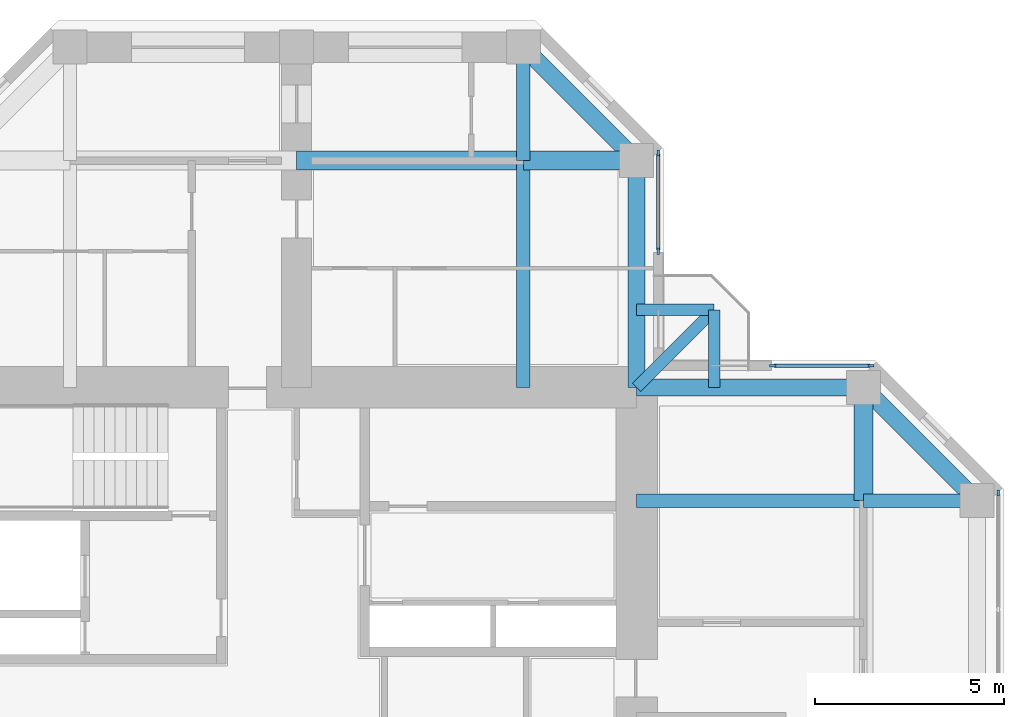
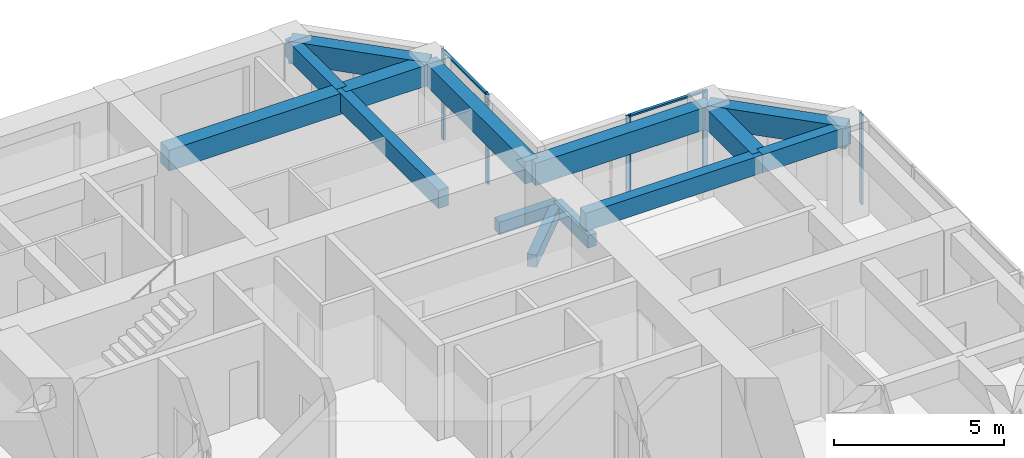
# One storey, part 6 of 14: 14 beams, 7 members, 3 elements without a shape of their own.
"""IFC4 building model written with IfcOpenShell, lengths in metres."""

from ifc_helpers import new_model, si_unit, direction, frame, origin, origin_2d, place, context, subcontext, project, spatial, rectangle, extrude, material, material_profile, profile_set, type_object, element, aggregate, save


model = new_model("IFC4")

# Units and contexts
model_context = context("Model", 3, precision=1e-05, world=origin(), true_north=direction((0.0, 1.0)))
body_context = subcontext(model_context, "Body", "Model", "MODEL_VIEW")
ifc_project = project(units=[si_unit("LENGTHUNIT", "METRE"), si_unit("AREAUNIT", "SQUARE_METRE"), si_unit("VOLUMEUNIT", "CUBIC_METRE"), si_unit("PLANEANGLEUNIT", "RADIAN"), si_unit("MASSUNIT", "GRAM", prefix="KILO")], contexts=[model_context])

# Site, building, storey
site_placement = place(None, origin())
site = spatial("IfcSite", under=ifc_project, at=site_placement, CompositionType="ELEMENT")
building_placement = place(site_placement, origin())
building = spatial("IfcBuilding", under=site, at=building_placement, Name="Torre Cruceta", CompositionType="ELEMENT")
storey_placement = place(building_placement, frame((0.0, 0.0, 210.300048828125)))
storey = spatial("IfcBuildingStorey", under=building, at=storey_placement, Name="L53", CompositionType="ELEMENT", Elevation=210.300048828125)

# Beams
ifc_material_1 = material(Name="Concrete G60 (fck 60 MPa)", Category="concrete")
ifc_material_profile_1 = material_profile(ifc_material_1, rectangle(XDim=0.300048828125, YDim=0.449951171875, at=origin_2d()), Name="RC 300X450")
ifc_profile_set_1 = profile_set([ifc_material_profile_1], Name="Concrete G60 (fck 60 MPa)")
beam_type_1 = type_object("IfcBeamType", Name="BALCONY CANTILEVER BEAM RC 300X450", PredefinedType="BEAM", material=ifc_profile_set_1)
beam_1_placement = place(storey_placement, frame((9.0, 9.0, -0.405029296875), z_axis=(0.707106781187, 0.707106781187, 0.0), x_axis=(-0.707106781187, 0.707106781187, 0.0)))
element("IfcBeam", 1, at=beam_1_placement, inside=storey, type_object=beam_type_1, Name="BB1 balcony beam L53 E", PredefinedType="BEAM", context=body_context, shape_type="SweptSolid", body=[
    extrude(rectangle(XDim=0.300048828125, YDim=0.449951171875, at=origin_2d()), origin(), (0.0, 0.0, 1.0), 2.89990234375),
])
for number, where, z_axis, x_axis, name in (
    (2, (11.050537109375, 9.0, -0.405029296875), (0.0, 1.0, 0.0), (-1.0, 0.0, 0.0), "BB1 balcony edge beam L53 E-X"),
    (3, (9.0, 11.050537109375, -0.405029296875), (1.0, 0.0, 0.0), (0.0, 1.0, 0.0), "BB1 balcony edge beam L53 E-Y"),
):
    element("IfcBeam", number, at=place(storey_placement, frame(where, z_axis=z_axis, x_axis=x_axis)), inside=storey, type_object=beam_type_1, Name=name, PredefinedType="BEAM", context=body_context, shape_type="SweptSolid", body=[
        extrude(rectangle(XDim=0.300048828125, YDim=0.449951171875, at=origin_2d()), origin(), (0.0, 0.0, 1.0), 2.050537109375),
    ])
ifc_material_2 = material(Name="Concrete G60 (fck 60 MPa)", Category="concrete")
ifc_material_profile_2 = material_profile(ifc_material_2, rectangle(XDim=0.35009765625, YDim=0.64990234375, at=origin_2d()), Name="RC 350X650")
ifc_profile_set_2 = profile_set([ifc_material_profile_2], Name="Concrete G60 (fck 60 MPa)")
beam_type_2 = type_object("IfcBeamType", Name="COLUMN LINE BEAM RC 350X650", PredefinedType="BEAM", material=ifc_profile_set_2)
beam_2_placement = place(storey_placement, frame((6.0, 9.0, 2.89501953125), z_axis=(0.0, 1.0, 0.0), x_axis=(-1.0, 0.0, 0.0)))
element("IfcBeam", 4, at=beam_2_placement, inside=storey, type_object=beam_type_2, Name="LB7 L53 N col- 1", PredefinedType="BEAM", context=body_context, shape_type="SweptSolid", body=[
    extrude(rectangle(XDim=0.35009765625, YDim=0.64990234375, at=origin_2d()), origin(), (0.0, 0.0, 1.0), 6.0),
])
beam_3_placement = place(storey_placement, frame((6.0, 15.0, 2.89501953125), z_axis=(0.0, 1.0, 0.0), x_axis=(-1.0, 0.0, 0.0)))
element("IfcBeam", 5, at=beam_3_placement, inside=storey, type_object=beam_type_2, Name="LB7 L53 N col- 2", PredefinedType="BEAM", context=body_context, shape_type="SweptSolid", body=[
    extrude(rectangle(XDim=0.35009765625, YDim=0.64990234375, at=origin_2d()), origin(), (0.0, 0.0, 1.0), 3.0),
])
beam_4_placement = place(storey_placement, frame((9.0, 6.0, 2.89501953125), z_axis=(1.0, 0.0, 0.0), x_axis=(0.0, 1.0, 0.0)))
element("IfcBeam", 6, at=beam_4_placement, inside=storey, type_object=beam_type_2, Name="LB7 L53 E col+ 1", PredefinedType="BEAM", context=body_context, shape_type="SweptSolid", body=[
    extrude(rectangle(XDim=0.35009765625, YDim=0.64990234375, at=origin_2d()), origin(), (0.0, 0.0, 1.0), 6.0),
])
beam_5_placement = place(storey_placement, frame((15.0, 6.0, 2.89501953125), z_axis=(1.0, 0.0, 0.0), x_axis=(0.0, 1.0, 0.0)))
element("IfcBeam", 7, at=beam_5_placement, inside=storey, type_object=beam_type_2, Name="LB7 L53 E col+ 2", PredefinedType="BEAM", context=body_context, shape_type="SweptSolid", body=[
    extrude(rectangle(XDim=0.35009765625, YDim=0.64990234375, at=origin_2d()), origin(), (0.0, 0.0, 1.0), 3.0),
])
ifc_material_3 = material(Name="Concrete G60 (fck 60 MPa)", Category="concrete")
ifc_material_profile_3 = material_profile(ifc_material_3, rectangle(XDim=0.5, YDim=0.75, at=origin_2d()), Name="RC 500X750")
ifc_profile_set_3 = profile_set([ifc_material_profile_3], Name="Concrete G60 (fck 60 MPa)")
beam_type_3 = type_object("IfcBeamType", Name="CROSS BEAM RC 500X750", PredefinedType="BEAM", material=ifc_profile_set_3)
beam_6_placement = place(storey_placement, frame((9.0, 15.0, 2.844970703125), z_axis=(-1.0, 0.0, 0.0), x_axis=(0.0, -1.0, 0.0)))
element("IfcBeam", 8, at=beam_6_placement, inside=storey, type_object=beam_type_3, Name="GB6 L53 N cross15 1", PredefinedType="BEAM", context=body_context, shape_type="SweptSolid", body=[
    extrude(rectangle(XDim=0.5, YDim=0.75, at=origin_2d()), origin(), (0.0, 0.0, 1.0), 3.0),
])
beam_7_placement = place(storey_placement, frame((6.0, 15.0, 2.844970703125), z_axis=(-1.0, 0.0, 0.0), x_axis=(0.0, -1.0, 0.0)))
element("IfcBeam", 9, at=beam_7_placement, inside=storey, type_object=beam_type_3, Name="GB6 L53 N cross15 2", PredefinedType="BEAM", context=body_context, shape_type="SweptSolid", body=[
    extrude(rectangle(XDim=0.5, YDim=0.75, at=origin_2d()), origin(), (0.0, 0.0, 1.0), 6.0),
])
beam_8_placement = place(storey_placement, frame((15.0, 6.0, 2.844970703125), z_axis=(0.0, 1.0, 0.0), x_axis=(-1.0, 0.0, 0.0)))
element("IfcBeam", 10, at=beam_8_placement, inside=storey, type_object=beam_type_3, Name="GB6 L53 E cross15 4", PredefinedType="BEAM", context=body_context, shape_type="SweptSolid", body=[
    extrude(rectangle(XDim=0.5, YDim=0.75, at=origin_2d()), origin(), (0.0, 0.0, 1.0), 3.0),
])

# Curtain wall, member
ifc_material_4 = material(Name="Aluminium unitised curtain wall", Category="aluminium")
curtain_wall_type = type_object("IfcCurtainWallType", Name="CURTAIN WALL CW-C CO-LIVING", PredefinedType="USERDEFINED", material=ifc_material_4)
curtain_wall_1_placement = place(storey_placement, origin())
curtain_wall_1 = element("IfcCurtainWall", 11, at=curtain_wall_1_placement, inside=storey, type_object=curtain_wall_type, Name="CW-C L53 E tip 02", ObjectType="UNITISED", PredefinedType="USERDEFINED")
ifc_material_5 = material(Name="Aluminium mullion", Category="aluminium")
ifc_material_profile_4 = material_profile(ifc_material_5, rectangle(XDim=0.06005859375, YDim=0.159912109375, at=origin_2d()), Name="AL 60X160")
ifc_profile_set_4 = profile_set([ifc_material_profile_4], Name="Aluminium mullion")
member_type_1 = type_object("IfcMemberType", Name="CW-C MULLION 60X160", PredefinedType="MULLION", material=ifc_profile_set_4)
member_1_placement = place(storey_placement, frame((18.570068359375, 6.2060546875, 0.0), z_axis=(0.0, 0.0, 1.0), x_axis=(-1.0, 0.0, 0.0)))
member_1 = element("IfcMember", 12, at=member_1_placement, type_object=member_type_1, Name="CW-C mullion 5", PredefinedType="MULLION", context=body_context, shape_type="SweptSolid", body=[
    extrude(rectangle(XDim=0.06005859375, YDim=0.159912109375, at=origin_2d()), origin(), (0.0, 0.0, 1.0), 3.219970703125),
])
aggregate(curtain_wall_1, [member_1])

# Curtain wall, members
curtain_wall_2_placement = place(storey_placement, origin())
curtain_wall_2 = element("IfcCurtainWall", 13, at=curtain_wall_2_placement, inside=storey, type_object=curtain_wall_type, Name="CW-C L53 E side 04", ObjectType="UNITISED", PredefinedType="USERDEFINED")
member_2_placement = place(storey_placement, frame((15.2060546875, 9.570068359375, 0.0), z_axis=(0.0, 0.0, 1.0), x_axis=(0.0, -1.0, 0.0)))
member_2 = element("IfcMember", 14, at=member_2_placement, type_object=member_type_1, Name="CW-C mullion 1", PredefinedType="MULLION", context=body_context, shape_type="SweptSolid", body=[
    extrude(rectangle(XDim=0.06005859375, YDim=0.159912109375, at=origin_2d()), origin(), (0.0, 0.0, 1.0), 3.219970703125),
])
member_3_placement = place(storey_placement, frame((12.60009765625, 9.570068359375, 0.0), z_axis=(0.0, 0.0, 1.0), x_axis=(0.0, -1.0, 0.0)))
member_3 = element("IfcMember", 15, at=member_3_placement, type_object=member_type_1, Name="CW-C mullion 2", PredefinedType="MULLION", context=body_context, shape_type="SweptSolid", body=[
    extrude(rectangle(XDim=0.06005859375, YDim=0.159912109375, at=origin_2d()), origin(), (0.0, 0.0, 1.0), 3.219970703125),
])

curtain_wall_3_placement = place(storey_placement, origin())
curtain_wall_3 = element("IfcCurtainWall", 16, at=curtain_wall_3_placement, inside=storey, type_object=curtain_wall_type, Name="CW-C L53 N side 05", ObjectType="UNITISED", PredefinedType="USERDEFINED")
member_4_placement = place(storey_placement, frame((9.570068359375, 12.60009765625, 0.0), z_axis=(0.0, 0.0, 1.0), x_axis=(-1.0, 0.0, 0.0)))
member_4 = element("IfcMember", 17, at=member_4_placement, type_object=member_type_1, Name="CW-C mullion 1", PredefinedType="MULLION", context=body_context, shape_type="SweptSolid", body=[
    extrude(rectangle(XDim=0.06005859375, YDim=0.159912109375, at=origin_2d()), origin(), (0.0, 0.0, 1.0), 3.219970703125),
])
member_5_placement = place(storey_placement, frame((9.570068359375, 15.2060546875, 0.0), z_axis=(0.0, 0.0, 1.0), x_axis=(-1.0, 0.0, 0.0)))
member_5 = element("IfcMember", 18, at=member_5_placement, type_object=member_type_1, Name="CW-C mullion 2", PredefinedType="MULLION", context=body_context, shape_type="SweptSolid", body=[
    extrude(rectangle(XDim=0.06005859375, YDim=0.159912109375, at=origin_2d()), origin(), (0.0, 0.0, 1.0), 3.219970703125),
])

# Member
ifc_material_6 = material(Name="Aluminium transom", Category="aluminium")
ifc_material_profile_5 = material_profile(ifc_material_6, rectangle(XDim=0.10009765625, YDim=0.06005859375, at=origin_2d()), Name="AL 100X60")
ifc_profile_set_5 = profile_set([ifc_material_profile_5], Name="Aluminium transom")
member_type_2 = type_object("IfcMemberType", Name="CW-C TRANSOM 60X100", PredefinedType="USERDEFINED", material=ifc_profile_set_5)
member_6_placement = place(storey_placement, frame((15.176025390625, 9.570068359375, 3.18994140625), z_axis=(-1.0, 0.0, 0.0), x_axis=(0.0, -1.0, 0.0)))
member_6 = element("IfcMember", 19, at=member_6_placement, type_object=member_type_2, Name="CW-C transom 1", ObjectType="TRANSOM", PredefinedType="USERDEFINED", context=body_context, shape_type="SweptSolid", body=[
    extrude(rectangle(XDim=0.10009765625, YDim=0.06005859375, at=origin_2d()), origin(), (0.0, 0.0, 1.0), 2.546142578125),
])

aggregate(curtain_wall_2, [member_2, member_3, member_6])

member_7_placement = place(storey_placement, frame((9.570068359375, 12.6298828125, 3.18994140625), z_axis=(0.0, 1.0, 0.0), x_axis=(-1.0, 0.0, 0.0)))
member_7 = element("IfcMember", 20, at=member_7_placement, type_object=member_type_2, Name="CW-C transom 1", ObjectType="TRANSOM", PredefinedType="USERDEFINED", context=body_context, shape_type="SweptSolid", body=[
    extrude(rectangle(XDim=0.10009765625, YDim=0.06005859375, at=origin_2d()), origin(), (0.0, 0.0, 1.0), 2.546142578125),
])

aggregate(curtain_wall_3, [member_4, member_5, member_7])

# Beams
ifc_material_7 = material(Name="Concrete G60 (fck 60 MPa)", Category="concrete")
ifc_material_profile_6 = material_profile(ifc_material_7, rectangle(XDim=0.449951171875, YDim=0.800048828125, at=origin_2d()), Name="RC 450X800")
ifc_profile_set_6 = profile_set([ifc_material_profile_6], Name="Concrete G60 (fck 60 MPa)")
beam_type_4 = type_object("IfcBeamType", Name="SPANDREL BEAM RC 450X800", PredefinedType="SPANDREL", material=ifc_profile_set_6)
beam_9_placement = place(storey_placement, frame((9.0, 9.0, 2.820068359375), z_axis=(0.0, 1.0, 0.0), x_axis=(-1.0, 0.0, 0.0)))
element("IfcBeam", 21, at=beam_9_placement, inside=storey, type_object=beam_type_4, Name="SB6 L53 N side- 1", PredefinedType="SPANDREL", context=body_context, shape_type="SweptSolid", body=[
    extrude(rectangle(XDim=0.449951171875, YDim=0.800048828125, at=origin_2d()), origin(), (0.0, 0.0, 1.0), 6.0),
])
beam_10_placement = place(storey_placement, frame((9.0, 15.0, 2.820068359375), z_axis=(-0.707106781187, 0.707106781187, 0.0), x_axis=(-0.707106781187, -0.707106781187, 0.0)))
element("IfcBeam", 22, at=beam_10_placement, inside=storey, type_object=beam_type_4, Name="SB6 L53 N side- 2", PredefinedType="SPANDREL", context=body_context, shape_type="SweptSolid", body=[
    extrude(rectangle(XDim=0.449951171875, YDim=0.800048828125, at=origin_2d()), origin(), (0.0, 0.0, 1.0), 4.24267578125),
])
beam_11_placement = place(storey_placement, frame((9.0, 9.0, 2.820068359375), z_axis=(1.0, 0.0, 0.0), x_axis=(0.0, 1.0, 0.0)))
element("IfcBeam", 23, at=beam_11_placement, inside=storey, type_object=beam_type_4, Name="SB6 L53 E side+ 1", PredefinedType="SPANDREL", context=body_context, shape_type="SweptSolid", body=[
    extrude(rectangle(XDim=0.449951171875, YDim=0.800048828125, at=origin_2d()), origin(), (0.0, 0.0, 1.0), 6.0),
])
beam_12_placement = place(storey_placement, frame((15.0, 9.0, 2.820068359375), z_axis=(0.707106781187, -0.707106781187, 0.0), x_axis=(0.707106781187, 0.707106781187, 0.0)))
element("IfcBeam", 24, at=beam_12_placement, inside=storey, type_object=beam_type_4, Name="SB6 L53 E side+ 2", PredefinedType="SPANDREL", context=body_context, shape_type="SweptSolid", body=[
    extrude(rectangle(XDim=0.449951171875, YDim=0.800048828125, at=origin_2d()), origin(), (0.0, 0.0, 1.0), 4.24267578125),
])

save(model, "model.ifc")
